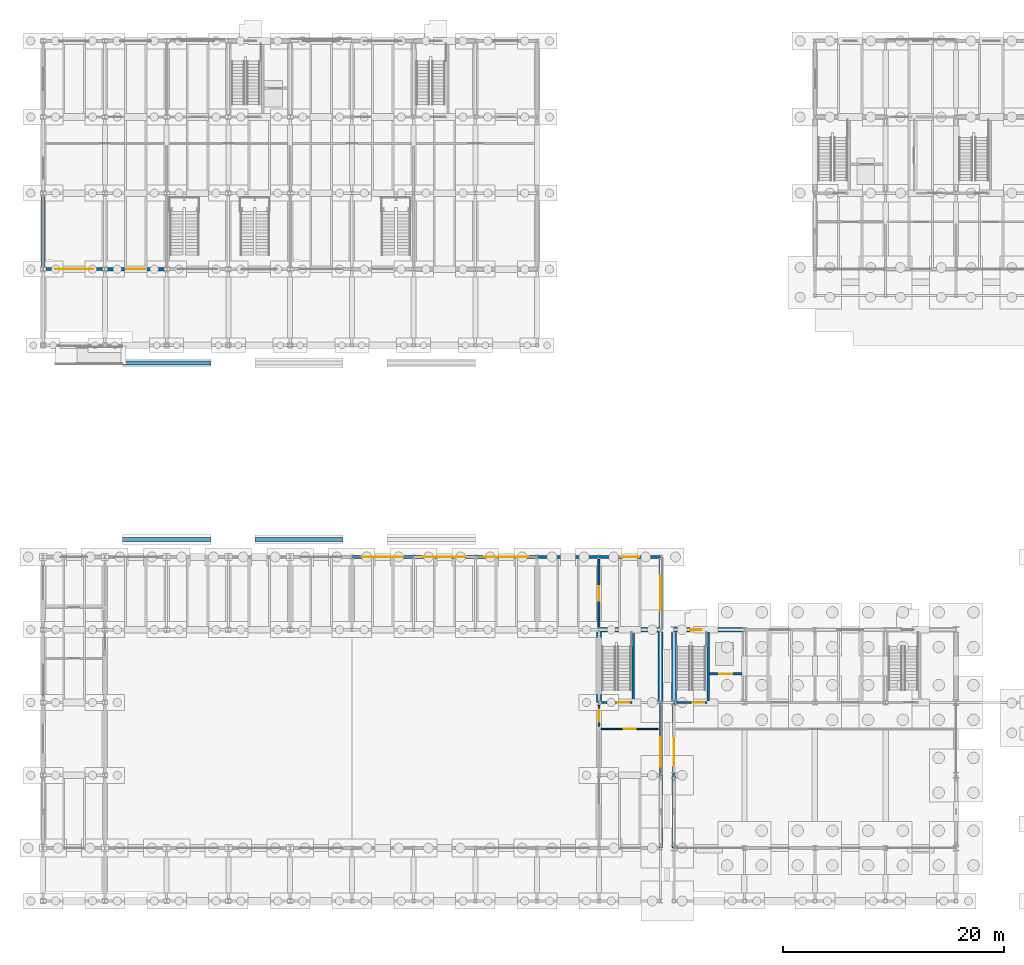
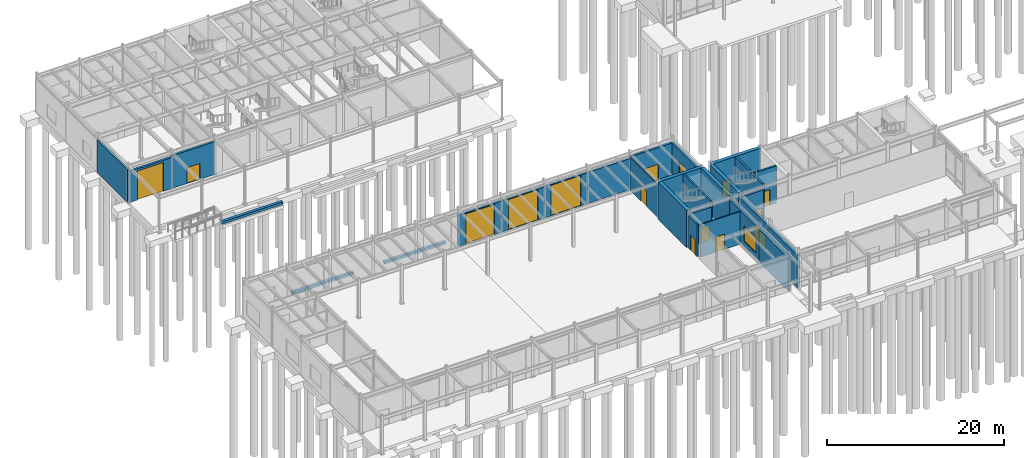
# One storey, part 67 of 82: 29 walls, 13 doors, 3 windows, 16 openings.
"""IFC4 building model written with IfcOpenShell, lengths in metres."""

import ifcopenshell
import ifcopenshell.guid

model = None  # the IFC model being written
_history = None  # IfcOwnerHistory: only IFC2X3 demands one
_inside = {}  # id of a spatial element -> (the spatial element, [elements in it])
_under = {}  # id of a project, library or spatial element -> (it, [spatial elements below it])
_declared = {}  # id of a project -> (the project, [libraries it declares])
_typed = {}  # id of a type object -> (the type object, [elements of that type])
_made_of = {}  # id of a material, layer set ... -> (it, [elements and type objects made of it])


def new_model(schema):
    """Start an empty IFC model of exactly this schema.

    Asked for "IFC4X3", IfcOpenShell would pick the latest addendum, in which some entities
    have other attributes; the version numbers below select the first issue.
    IFC2X3 requires an IfcOwnerHistory on every rooted entity: one is made here for all.
    """
    global model, _history
    if schema == "IFC4X3":
        model = ifcopenshell.file(schema_version=(4, 3, 0, 0))
    else:
        model = ifcopenshell.file(schema=schema)
    _inside.clear()
    _under.clear()
    _declared.clear()
    _typed.clear()
    _made_of.clear()
    _history = None
    if model.schema == "IFC2X3":
        org = make("IfcOrganization", Name="unknown")
        user = make(
            "IfcPersonAndOrganization",
            ThePerson=make("IfcPerson", FamilyName="unknown"),
            TheOrganization=org,
        )
        app = make(
            "IfcApplication",
            ApplicationDeveloper=org,
            Version="unknown",
            ApplicationFullName="unknown",
            ApplicationIdentifier="unknown",
        )
        _history = make(
            "IfcOwnerHistory",
            OwningUser=user,
            OwningApplication=app,
            ChangeAction="ADDED",
            CreationDate=0,
        )
    return model


def make(cls, **values):
    """One entity of the class cls with the attributes given. An attribute that is None is left unset."""
    return model.create_entity(
        cls, **{name: value for name, value in values.items() if value is not None}
    )


def rooted(cls, **values):
    """An entity with a GlobalId (a new one), such as an element, a storey or a relation."""
    return make(cls, GlobalId=ifcopenshell.guid.new(), OwnerHistory=_history, **values)


def si_unit(unit_type, name, prefix=None):
    """IfcSIUnit, for example si_unit("LENGTHUNIT", "METRE", prefix="MILLI")."""
    return make("IfcSIUnit", UnitType=unit_type, Prefix=prefix, Name=name)


def assignment(units):
    """IfcUnitAssignment: the units of a project."""
    return None if units is None else make("IfcUnitAssignment", Units=units)


def point(xyz):
    """IfcCartesianPoint."""
    return None if xyz is None else make("IfcCartesianPoint", Coordinates=xyz)


def direction(xyz):
    """IfcDirection."""
    return None if xyz is None else make("IfcDirection", DirectionRatios=xyz)


def frame(location, z_axis=None, x_axis=None):
    """IfcAxis2Placement3D, a coordinate frame: its origin and axes. An axis left out is left unset."""
    return make(
        "IfcAxis2Placement3D",
        Location=point(location),
        Axis=direction(z_axis),
        RefDirection=direction(x_axis),
    )


def frame_2d(location, x_axis=None):
    """IfcAxis2Placement2D, a coordinate frame in the plane: its origin and x axis."""
    return make(
        "IfcAxis2Placement2D", Location=point(location), RefDirection=direction(x_axis)
    )


def origin():
    """The frame at (0, 0, 0) with its axes left unset."""
    return frame((0.0, 0.0, 0.0))


def place(relative_to, where):
    """IfcLocalPlacement: puts the frame where relative to a parent placement (None: the world)."""
    return make(
        "IfcLocalPlacement", PlacementRelTo=relative_to, RelativePlacement=where
    )


def context(
    kind, dimensions, precision=None, world=None, true_north=None, identifier=None
):
    """IfcGeometricRepresentationContext, for example the 3D "Model" context."""
    return make(
        "IfcGeometricRepresentationContext",
        ContextIdentifier=identifier,
        ContextType=kind,
        CoordinateSpaceDimension=dimensions,
        Precision=precision,
        WorldCoordinateSystem=world,
        TrueNorth=true_north,
    )


def subcontext(parent, identifier, kind, view, scale=None):
    """IfcGeometricRepresentationSubContext, for example "Body" below "Model"."""
    return make(
        "IfcGeometricRepresentationSubContext",
        ContextIdentifier=identifier,
        ContextType=kind,
        ParentContext=parent,
        TargetScale=scale,
        TargetView=view,
    )


def project(units=None, contexts=None):
    """IfcProject with its units and contexts."""
    return rooted(
        "IfcProject",
        Name="project",
        RepresentationContexts=contexts,
        UnitsInContext=assignment(units),
    )


def spatial(cls, under=None, at=None, **own):
    """A site, building, storey or space (cls), placed at a placement, below another one or the project."""
    s = rooted(cls, ObjectPlacement=at, **own)
    if under is not None:
        _under.setdefault(under.id(), (under, []))[1].append(s)
    return s


def profile(cls, at=None, kind="AREA", **sizes):
    """A parametric profile (cls). Its sizes go by their IFC names, for example OverallWidth=200.0."""
    return make(cls, ProfileType=kind, Position=at, **sizes)


def rectangle(**sizes):
    """IfcRectangleProfileDef."""
    return profile("IfcRectangleProfileDef", **sizes)


def extrude(swept, where, along, depth):
    """IfcExtrudedAreaSolid: the profile swept, set in the frame where, extruded along a direction by depth."""
    return make(
        "IfcExtrudedAreaSolid",
        SweptArea=swept,
        Position=where,
        ExtrudedDirection=direction(along),
        Depth=depth,
    )


def shape(context_of_items, identifier, shape_type, items):
    """IfcShapeRepresentation: the items that make up one representation, for example the "Body"."""
    return make(
        "IfcShapeRepresentation",
        ContextOfItems=context_of_items,
        RepresentationIdentifier=identifier,
        RepresentationType=shape_type,
        Items=items,
    )


def material(Name=None, Category=None):
    """IfcMaterial."""
    return make("IfcMaterial", Name=Name, Category=Category)


def layer(
    of_material, thickness, ventilated=None, Name=None, Category=None, Priority=None
):
    """IfcMaterialLayer: one layer of a wall or slab, of a material (None: an air gap)."""
    return make(
        "IfcMaterialLayer",
        Material=of_material,
        LayerThickness=thickness,
        IsVentilated=ventilated,
        Name=Name,
        Category=Category,
        Priority=Priority,
    )


def layer_set(layers, Name=None):
    """IfcMaterialLayerSet."""
    return make("IfcMaterialLayerSet", MaterialLayers=layers, LayerSetName=Name)


def made_of(thing, what):
    """Note that an element or type object is made of a material, layer set ...; save() writes the relation."""
    if what is not None:
        _made_of.setdefault(what.id(), (what, []))[1].append(thing)
    return thing


def type_object(cls, material=None, **own):
    """A type object (cls), such as IfcWallType, which elements share."""
    return made_of(rooted(cls, **own), material)


def element(
    cls,
    number,
    at=None,
    inside=None,
    cuts=None,
    type_object=None,
    material=None,
    context=None,
    identifier="Body",
    shape_type=None,
    held_by="IfcProductDefinitionShape",
    body=None,
    shapes=None,
    **own,
):
    """One element of the class cls, such as IfcWall. Its Tag is "e" and its number.

    at: its placement. inside: the storey or other place that contains it. cuts: it is an
    opening in that element (IfcRelVoidsElement). A single representation is given by context,
    identifier, shape_type and body (its items); several are given by shapes. held_by: the class
    of the entity that holds the representations. save() writes the other relations.
    """
    e = rooted(cls, Tag="e%d" % number, ObjectPlacement=at, **own)
    if body is not None:
        shapes = [shape(context, identifier, shape_type, body)]
    if shapes is not None:
        e.Representation = make(held_by, Representations=shapes)
    if inside is not None:
        _inside.setdefault(inside.id(), (inside, []))[1].append(e)
    if cuts is not None:
        rooted(
            "IfcRelVoidsElement", RelatingBuildingElement=cuts, RelatedOpeningElement=e
        )
    if type_object is not None:
        _typed.setdefault(type_object.id(), (type_object, []))[1].append(e)
    return made_of(e, material)


def fill(opening, filler):
    """IfcRelFillsElement: the door or window that sits in an opening."""
    return rooted(
        "IfcRelFillsElement",
        RelatingOpeningElement=opening,
        RelatedBuildingElement=filler,
    )


def aggregate(whole, parts):
    """IfcRelAggregates: a whole, such as a stair, and the parts it consists of."""
    return rooted("IfcRelAggregates", RelatingObject=whole, RelatedObjects=parts)


def save(model, path):
    """Write the relations noted so far, then the file.

    IfcRelAggregates (storeys below a building ...), IfcRelContainedInSpatialStructure (elements
    in a storey), IfcRelDefinesByType, IfcRelAssociatesMaterial and IfcRelDeclares: one each for
    every whole, place, type object, material and project.
    """
    for whole, parts in _under.values():
        aggregate(whole, parts)
    for where, things in _inside.values():
        rooted(
            "IfcRelContainedInSpatialStructure",
            RelatedElements=things,
            RelatingStructure=where,
        )
    for kind, things in _typed.values():
        rooted("IfcRelDefinesByType", RelatedObjects=things, RelatingType=kind)
    for what, things in _made_of.values():
        rooted("IfcRelAssociatesMaterial", RelatedObjects=things, RelatingMaterial=what)
    for by, libraries in _declared.values():
        rooted("IfcRelDeclares", RelatingContext=by, RelatedDefinitions=libraries)
    model.write(path)


model = new_model("IFC4")

# Units and contexts
model_context = context("Model", 3, precision=1e-05, world=origin(), true_north=direction((0.0, 1.0)))
body_context = subcontext(model_context, "Body", "Model", "MODEL_VIEW")
ifc_project = project(units=[si_unit("LENGTHUNIT", "METRE"), si_unit("AREAUNIT", "SQUARE_METRE"), si_unit("VOLUMEUNIT", "CUBIC_METRE"), si_unit("PLANEANGLEUNIT", "RADIAN"), si_unit("MASSUNIT", "GRAM", prefix="KILO")], contexts=[model_context])

# Site, building, storey
site_placement = place(None, origin())
site = spatial("IfcSite", under=ifc_project, at=site_placement, CompositionType="ELEMENT")
building_placement = place(site_placement, origin())
building = spatial("IfcBuilding", under=site, at=building_placement, Name="Trelmorton Wharf Fire Station", CompositionType="ELEMENT")
storey_placement = place(building_placement, origin())
storey = spatial("IfcBuildingStorey", under=building, at=storey_placement, Name="L00", CompositionType="ELEMENT", Elevation=0.0)

# Wall, opening, window
ifc_material_1 = material(Name="Precast concrete 45 MPa", Category="concrete")
ifc_layer_1 = layer(ifc_material_1, 0.22998046875)
ifc_layer_set_1 = layer_set([ifc_layer_1], Name="Precast concrete 45 MPa")
wall_type_1 = type_object("IfcWallType", Name="EW_PREC_230", PredefinedType="SOLIDWALL", material=ifc_layer_set_1)
wall_1_placement = place(storey_placement, frame((56.800048828125, 20.9951171875, 0.0), z_axis=(0.0, 0.0, 1.0), x_axis=(0.0, -1.0, 0.0)))
wall_1 = element("IfcWall", 1, at=wall_1_placement, inside=storey, type_object=wall_type_1, Name="EW-V1-L00-0024", PredefinedType="SOLIDWALL", context=body_context, shape_type="SweptSolid", body=[
    extrude(rectangle(XDim=6.590087890625, YDim=0.22998046875, at=frame_2d((3.294921875, 0.0))), origin(), (0.0, 0.0, 1.0), 4.52001953125),
])
opening_1_placement = place(wall_1_placement, frame((3.12744140625, 0.0, 0.800048828125)))
opening_1 = element("IfcOpeningElement", 2, at=opening_1_placement, cuts=wall_1, Name="Opening W03", PredefinedType="OPENING", context=body_context, shape_type="SweptSolid", body=[
    extrude(rectangle(XDim=2.699951171875, YDim=2.10009765625, at=frame_2d((1.35009765625, 1.050048828125))), frame((0.0, 0.125, 0.0), z_axis=(0.0, -1.0, 0.0), x_axis=(1.0, 0.0, 0.0)), (0.0, 0.0, 1.0), 0.25),
])
ifc_material_2 = material(Name="Tempered low-E double glazing", Category="glass")
window_type_1 = type_object("IfcWindowType", Name="WIN_W03", PartitioningType="TRIPLE_PANEL_VERTICAL", PredefinedType="WINDOW", material=ifc_material_2)
window_1_placement = place(opening_1_placement, origin())
window_1 = element("IfcWindow", 3, at=window_1_placement, inside=storey, type_object=window_type_1, Name="WN-V1-L00-0003", OverallHeight=2.10009765625, OverallWidth=2.699951171875, PartitioningType="TRIPLE_PANEL_VERTICAL", PredefinedType="WINDOW", context=body_context, shape_type="SweptSolid", body=[
    extrude(rectangle(XDim=2.699951171875, YDim=2.10009765625, at=frame_2d((1.35009765625, 1.050048828125))), frame((0.0, 0.030029296875, 0.0), z_axis=(0.0, -1.0, 0.0), x_axis=(1.0, 0.0, 0.0)), (0.0, 0.0, 1.0), 0.06005859375),
])
fill(opening_1, window_1)

ifc_layer_2 = layer(ifc_material_1, 0.25)
ifc_layer_set_2 = layer_set([ifc_layer_2], Name="Precast concrete 45 MPa")
wall_type_2 = type_object("IfcWallType", Name="EW_PREC_250", PredefinedType="SOLIDWALL", material=ifc_layer_set_2)
wall_2_placement = place(storey_placement, frame((58.0, 14.405029296875, 0.0), z_axis=(0.0, 0.0, 1.0), x_axis=(0.0, 1.0, 0.0)))
wall_2 = element("IfcWall", 4, at=wall_2_placement, inside=storey, type_object=wall_type_2, Name="EW-V3-L00-0043", PredefinedType="SOLIDWALL", context=body_context, shape_type="SweptSolid", body=[
    extrude(rectangle(XDim=6.590087890625, YDim=0.25, at=frame_2d((3.294921875, 0.0))), origin(), (0.0, 0.0, 1.0), 4.52001953125),
])
opening_2_placement = place(wall_2_placement, frame((0.862548828125, 0.0, 0.800048828125)))
opening_2 = element("IfcOpeningElement", 5, at=opening_2_placement, cuts=wall_2, Name="Opening W14", PredefinedType="OPENING", context=body_context, shape_type="SweptSolid", body=[
    extrude(rectangle(XDim=2.5, YDim=1.800048828125, at=frame_2d((1.25, 0.89990234375))), frame((0.0, 0.135009765625, 0.0), z_axis=(0.0, -1.0, 0.0), x_axis=(1.0, 0.0, 0.0)), (0.0, 0.0, 1.0), 0.27001953125),
])
window_type_2 = type_object("IfcWindowType", Name="WIN_W14", PartitioningType="TRIPLE_PANEL_VERTICAL", PredefinedType="WINDOW", material=ifc_material_2)
window_2_placement = place(opening_2_placement, origin())
window_2 = element("IfcWindow", 6, at=window_2_placement, inside=storey, type_object=window_type_2, Name="WN-V3-L00-0013", OverallHeight=1.800048828125, OverallWidth=2.5, PartitioningType="TRIPLE_PANEL_VERTICAL", PredefinedType="WINDOW", context=body_context, shape_type="SweptSolid", body=[
    extrude(rectangle(XDim=2.5, YDim=1.800048828125, at=frame_2d((1.25, 0.89990234375))), frame((0.0, 0.030029296875, 0.0), z_axis=(0.0, -1.0, 0.0), x_axis=(1.0, 0.0, 0.0)), (0.0, 0.0, 1.0), 0.06005859375),
])
fill(opening_2, window_2)

# Wall, opening, door
ifc_layer_3 = layer(ifc_material_1, 0.27001953125)
ifc_layer_set_3 = layer_set([ifc_layer_3], Name="Precast concrete 45 MPa")
wall_type_3 = type_object("IfcWallType", Name="EW_PREC_270", PredefinedType="SOLIDWALL", material=ifc_layer_set_3)
wall_3_placement = place(storey_placement, frame((28.804931640625, 34.199951171875, 0.0), z_axis=(0.0, 0.0, 1.0), x_axis=(1.0, 0.0, 0.0)))
wall_3 = element("IfcWall", 7, at=wall_3_placement, inside=storey, type_object=wall_type_3, Name="EW-V1-L00-0016", PredefinedType="SOLIDWALL", context=body_context, shape_type="SweptSolid", body=[
    extrude(rectangle(XDim=5.590087890625, YDim=0.27001953125, at=frame_2d((2.794921875, 0.0))), origin(), (0.0, 0.0, 1.0), 4.300048828125),
])
opening_3_placement = place(wall_3_placement, frame((0.919921875, 0.0, 0.0)))
opening_3 = element("IfcOpeningElement", 8, at=opening_3_placement, cuts=wall_3, Name="Opening AD-13", PredefinedType="OPENING", context=body_context, shape_type="SweptSolid", body=[
    extrude(rectangle(XDim=3.75, YDim=4.14990234375, at=frame_2d((1.875, 2.074951171875))), frame((0.0, 0.14501953125, 0.0), z_axis=(0.0, -1.0, 0.0), x_axis=(1.0, 0.0, 0.0)), (0.0, 0.0, 1.0), 0.2900390625),
])
ifc_material_3 = material(Name="Anodised aluminium AW-6063", Category="aluminium")
door_type_1 = type_object("IfcDoorType", Name="GT_BIFOLD_375", OperationType="FOLDING_TO_RIGHT", PredefinedType="GATE", material=ifc_material_3)
door_1_placement = place(opening_3_placement, origin())
door_1 = element("IfcDoor", 9, at=door_1_placement, inside=storey, type_object=door_type_1, Name="Vehicle Gate AD-13", OperationType="FOLDING_TO_RIGHT", OverallHeight=4.14990234375, OverallWidth=3.75, PredefinedType="GATE", context=body_context, shape_type="SweptSolid", body=[
    extrude(rectangle(XDim=3.75, YDim=4.14990234375, at=frame_2d((1.875, 2.074951171875))), frame((0.0, 0.02490234375, 0.0), z_axis=(0.0, -1.0, 0.0), x_axis=(1.0, 0.0, 0.0)), (0.0, 0.0, 1.0), 0.050048828125),
])
fill(opening_3, door_1)

wall_4_placement = place(storey_placement, frame((34.405029296875, 34.199951171875, 0.0), z_axis=(0.0, 0.0, 1.0), x_axis=(1.0, 0.0, 0.0)))
wall_4 = element("IfcWall", 10, at=wall_4_placement, inside=storey, type_object=wall_type_3, Name="EW-V1-L00-0017", PredefinedType="SOLIDWALL", context=body_context, shape_type="SweptSolid", body=[
    extrude(rectangle(XDim=5.590087890625, YDim=0.27001953125, at=frame_2d((2.794921875, 0.0))), origin(), (0.0, 0.0, 1.0), 4.300048828125),
])
opening_4_placement = place(wall_4_placement, frame((0.8701171875, 0.0, 0.0)))
opening_4 = element("IfcOpeningElement", 11, at=opening_4_placement, cuts=wall_4, Name="Opening AD-14", PredefinedType="OPENING", context=body_context, shape_type="SweptSolid", body=[
    extrude(rectangle(XDim=3.85009765625, YDim=4.199951171875, at=frame_2d((1.925048828125, 2.10009765625))), frame((0.0, 0.14501953125, 0.0), z_axis=(0.0, -1.0, 0.0), x_axis=(1.0, 0.0, 0.0)), (0.0, 0.0, 1.0), 0.2900390625),
])
door_type_2 = type_object("IfcDoorType", Name="GT_BIFOLD_385", OperationType="FOLDING_TO_LEFT", PredefinedType="GATE", material=ifc_material_3)
door_2_placement = place(opening_4_placement, origin())
door_2 = element("IfcDoor", 12, at=door_2_placement, inside=storey, type_object=door_type_2, Name="Vehicle Gate AD-14", OperationType="FOLDING_TO_LEFT", OverallHeight=4.199951171875, OverallWidth=3.85009765625, PredefinedType="GATE", context=body_context, shape_type="SweptSolid", body=[
    extrude(rectangle(XDim=3.85009765625, YDim=4.199951171875, at=frame_2d((1.925048828125, 2.10009765625))), frame((0.0, 0.02490234375, 0.0), z_axis=(0.0, -1.0, 0.0), x_axis=(1.0, 0.0, 0.0)), (0.0, 0.0, 1.0), 0.050048828125),
])
fill(opening_4, door_2)

wall_5_placement = place(storey_placement, frame((40.0048828125, 34.199951171875, 0.0), z_axis=(0.0, 0.0, 1.0), x_axis=(1.0, 0.0, 0.0)))
wall_5 = element("IfcWall", 13, at=wall_5_placement, inside=storey, type_object=wall_type_3, Name="EW-V1-L00-0018", PredefinedType="SOLIDWALL", context=body_context, shape_type="SweptSolid", body=[
    extrude(rectangle(XDim=5.590087890625, YDim=0.27001953125, at=frame_2d((2.794921875, 0.0))), origin(), (0.0, 0.0, 1.0), 4.300048828125),
])
opening_5_placement = place(wall_5_placement, frame((0.820068359375, 0.0, 0.0)))
opening_5 = element("IfcOpeningElement", 14, at=opening_5_placement, cuts=wall_5, Name="Opening AD-15", PredefinedType="OPENING", context=body_context, shape_type="SweptSolid", body=[
    extrude(rectangle(XDim=3.949951171875, YDim=4.199951171875, at=frame_2d((1.97509765625, 2.10009765625))), frame((0.0, 0.14501953125, 0.0), z_axis=(0.0, -1.0, 0.0), x_axis=(1.0, 0.0, 0.0)), (0.0, 0.0, 1.0), 0.2900390625),
])
door_type_3 = type_object("IfcDoorType", Name="GT_BIFOLD_395", OperationType="FOLDING_TO_RIGHT", PredefinedType="GATE", material=ifc_material_3)
door_3_placement = place(opening_5_placement, origin())
door_3 = element("IfcDoor", 15, at=door_3_placement, inside=storey, type_object=door_type_3, Name="Vehicle Gate AD-15", OperationType="FOLDING_TO_RIGHT", OverallHeight=4.199951171875, OverallWidth=3.949951171875, PredefinedType="GATE", context=body_context, shape_type="SweptSolid", body=[
    extrude(rectangle(XDim=3.949951171875, YDim=4.199951171875, at=frame_2d((1.97509765625, 2.10009765625))), frame((0.0, 0.02490234375, 0.0), z_axis=(0.0, -1.0, 0.0), x_axis=(1.0, 0.0, 0.0)), (0.0, 0.0, 1.0), 0.050048828125),
])
fill(opening_5, door_3)

# Wall
wall_6_placement = place(storey_placement, frame((45.60498046875, 34.199951171875, 0.0), z_axis=(0.0, 0.0, 1.0), x_axis=(1.0, 0.0, 0.0)))
element("IfcWall", 16, at=wall_6_placement, inside=storey, type_object=wall_type_3, Name="EW-V1-L00-0019", PredefinedType="SOLIDWALL", context=body_context, shape_type="SweptSolid", body=[
    extrude(rectangle(XDim=5.590087890625, YDim=0.27001953125, at=frame_2d((2.794921875, 0.0))), origin(), (0.0, 0.0, 1.0), 4.300048828125),
])

# Wall, opening, door
wall_7_placement = place(storey_placement, frame((51.205078125, 34.199951171875, 0.0), z_axis=(0.0, 0.0, 1.0), x_axis=(1.0, 0.0, 0.0)))
wall_7 = element("IfcWall", 17, at=wall_7_placement, inside=storey, type_object=wall_type_3, Name="EW-V1-L00-0020", PredefinedType="SOLIDWALL", context=body_context, shape_type="SweptSolid", body=[
    extrude(rectangle(XDim=5.58984375, YDim=0.27001953125, at=frame_2d((2.794921875, 0.0))), origin(), (0.0, 0.0, 1.0), 4.52001953125),
])
opening_6_placement = place(wall_7_placement, frame((1.93505859375, 0.0, 0.0)))
opening_6 = element("IfcOpeningElement", 18, at=opening_6_placement, cuts=wall_7, Name="Opening E-003", PredefinedType="OPENING", context=body_context, shape_type="SweptSolid", body=[
    extrude(rectangle(XDim=1.719970703125, YDim=2.199951171875, at=frame_2d((0.85986328125, 1.10009765625))), frame((0.0, 0.14501953125, 0.0), z_axis=(0.0, -1.0, 0.0), x_axis=(1.0, 0.0, 0.0)), (0.0, 0.0, 1.0), 0.2900390625),
])
door_type_4 = type_object("IfcDoorType", Name="DR_EXT_DBL_172", OperationType="DOUBLE_DOOR_SINGLE_SWING", PredefinedType="DOOR", material=ifc_material_3)
door_4_placement = place(opening_6_placement, origin())
door_4 = element("IfcDoor", 19, at=door_4_placement, inside=storey, type_object=door_type_4, Name="Final Exit Door E-003", OperationType="DOUBLE_DOOR_SINGLE_SWING", OverallHeight=2.199951171875, OverallWidth=1.719970703125, PredefinedType="DOOR", context=body_context, shape_type="SweptSolid", body=[
    extrude(rectangle(XDim=1.719970703125, YDim=2.199951171875, at=frame_2d((0.85986328125, 1.10009765625))), frame((0.0, 0.02490234375, 0.0), z_axis=(0.0, -1.0, 0.0), x_axis=(1.0, 0.0, 0.0)), (0.0, 0.0, 1.0), 0.050048828125),
])
fill(opening_6, door_4)

wall_8_placement = place(storey_placement, frame((6.39501953125, 60.300048828125, 0.0), z_axis=(0.0, 0.0, 1.0), x_axis=(-1.0, 0.0, 0.0)))
wall_8 = element("IfcWall", 20, at=wall_8_placement, inside=storey, type_object=wall_type_3, Name="EW-V6-L00-0121", PredefinedType="SOLIDWALL", context=body_context, shape_type="SweptSolid", body=[
    extrude(rectangle(XDim=5.590087890625, YDim=0.27001953125, at=frame_2d((2.794921875, 0.0))), origin(), (0.0, 0.0, 1.0), 4.300048828125),
])
opening_7_placement = place(wall_8_placement, frame((1.070068359375, 0.0, 0.0)))
opening_7 = element("IfcOpeningElement", 21, at=opening_7_placement, cuts=wall_8, Name="Opening WG-17", PredefinedType="OPENING", context=body_context, shape_type="SweptSolid", body=[
    extrude(rectangle(XDim=3.449951171875, YDim=4.0, at=frame_2d((1.72509765625, 2.0))), frame((0.0, 0.14501953125, 0.0), z_axis=(0.0, -1.0, 0.0), x_axis=(1.0, 0.0, 0.0)), (0.0, 0.0, 1.0), 0.2900390625),
])
ifc_material_4 = material(Name="Stainless steel 316 marine grade", Category="steel")
door_type_5 = type_object("IfcDoorType", Name="GT_ROLLER_345", OperationType="ROLLINGUP", PredefinedType="GATE", material=ifc_material_4)
door_5_placement = place(opening_7_placement, origin())
door_5 = element("IfcDoor", 22, at=door_5_placement, inside=storey, type_object=door_type_5, Name="Vehicle Gate WG-17", OperationType="ROLLINGUP", OverallHeight=4.0, OverallWidth=3.449951171875, PredefinedType="GATE", context=body_context, shape_type="SweptSolid", body=[
    extrude(rectangle(XDim=3.449951171875, YDim=4.0, at=frame_2d((1.72509765625, 2.0))), frame((0.0, 0.02490234375, 0.0), z_axis=(0.0, -1.0, 0.0), x_axis=(1.0, 0.0, 0.0)), (0.0, 0.0, 1.0), 0.050048828125),
])
fill(opening_7, door_5)

# Wall, opening, window
ifc_layer_4 = layer(ifc_material_1, 0.2900390625)
ifc_layer_set_4 = layer_set([ifc_layer_4], Name="Precast concrete 45 MPa")
wall_type_4 = type_object("IfcWallType", Name="EW_TERR_290", PredefinedType="SOLIDWALL", material=ifc_layer_set_4)
wall_9_placement = place(storey_placement, frame((56.800048828125, 34.195068359375, 0.0), z_axis=(0.0, 0.0, 1.0), x_axis=(0.0, -1.0, 0.0)))
wall_9 = element("IfcWall", 23, at=wall_9_placement, inside=storey, type_object=wall_type_4, Name="EW-V1-L00-0027", PredefinedType="SOLIDWALL", context=body_context, shape_type="SweptSolid", body=[
    extrude(rectangle(XDim=6.590087890625, YDim=0.2900390625, at=frame_2d((3.294921875, 0.0))), origin(), (0.0, 0.0, 1.0), 4.52001953125),
])
opening_8_placement = place(wall_9_placement, frame((1.719970703125, 0.0, 0.800048828125)))
opening_8 = element("IfcOpeningElement", 24, at=opening_8_placement, cuts=wall_9, Name="Opening W06", PredefinedType="OPENING", context=body_context, shape_type="SweptSolid", body=[
    extrude(rectangle(XDim=3.14990234375, YDim=2.10009765625, at=frame_2d((1.574951171875, 1.050048828125))), frame((0.0, 0.155029296875, 0.0), z_axis=(0.0, -1.0, 0.0), x_axis=(1.0, 0.0, 0.0)), (0.0, 0.0, 1.0), 0.31005859375),
])
window_type_3 = type_object("IfcWindowType", Name="WIN_W06", PartitioningType="TRIPLE_PANEL_VERTICAL", PredefinedType="WINDOW", material=ifc_material_2)
window_3_placement = place(opening_8_placement, origin())
window_3 = element("IfcWindow", 25, at=window_3_placement, inside=storey, type_object=window_type_3, Name="WN-V1-L00-0006", OverallHeight=2.10009765625, OverallWidth=3.14990234375, PartitioningType="TRIPLE_PANEL_VERTICAL", PredefinedType="WINDOW", context=body_context, shape_type="SweptSolid", body=[
    extrude(rectangle(XDim=3.14990234375, YDim=2.10009765625, at=frame_2d((1.574951171875, 1.050048828125))), frame((0.0, 0.030029296875, 0.0), z_axis=(0.0, -1.0, 0.0), x_axis=(1.0, 0.0, 0.0)), (0.0, 0.0, 1.0), 0.06005859375),
])
fill(opening_8, window_3)

# Wall, opening, door
wall_10_placement = place(storey_placement, frame((11.9951171875, 60.300048828125, 0.0), z_axis=(0.0, 0.0, 1.0), x_axis=(-1.0, 0.0, 0.0)))
wall_10 = element("IfcWall", 26, at=wall_10_placement, inside=storey, type_object=wall_type_4, Name="EW-V6-L00-0123", PredefinedType="SOLIDWALL", context=body_context, shape_type="SweptSolid", body=[
    extrude(rectangle(XDim=5.590087890625, YDim=0.2900390625, at=frame_2d((2.794921875, 0.0))), origin(), (0.0, 0.0, 1.0), 4.52001953125),
])
opening_9_placement = place(wall_10_placement, frame((1.93505859375, 0.0, 0.0)))
opening_9 = element("IfcOpeningElement", 27, at=opening_9_placement, cuts=wall_10, Name="Opening E-021", PredefinedType="OPENING", context=body_context, shape_type="SweptSolid", body=[
    extrude(rectangle(XDim=1.719970703125, YDim=2.199951171875, at=frame_2d((0.85986328125, 1.10009765625))), frame((0.0, 0.155029296875, 0.0), z_axis=(0.0, -1.0, 0.0), x_axis=(1.0, 0.0, 0.0)), (0.0, 0.0, 1.0), 0.31005859375),
])
door_6_placement = place(opening_9_placement, origin())
door_6 = element("IfcDoor", 28, at=door_6_placement, inside=storey, type_object=door_type_4, Name="Final Exit Door E-021", OperationType="DOUBLE_DOOR_SINGLE_SWING", OverallHeight=2.199951171875, OverallWidth=1.719970703125, PredefinedType="DOOR", context=body_context, shape_type="SweptSolid", body=[
    extrude(rectangle(XDim=1.719970703125, YDim=2.199951171875, at=frame_2d((0.85986328125, 1.10009765625))), frame((0.0, 0.02490234375, 0.0), z_axis=(0.0, -1.0, 0.0), x_axis=(1.0, 0.0, 0.0)), (0.0, 0.0, 1.0), 0.050048828125),
])
fill(opening_9, door_6)

# Walls
wall_11_placement = place(storey_placement, frame((0.800048828125, 60.304931640625, 0.0), z_axis=(0.0, 0.0, 1.0), x_axis=(0.0, 1.0, 0.0)))
element("IfcWall", 29, at=wall_11_placement, inside=storey, type_object=wall_type_4, Name="EW-V6-L00-0135", PredefinedType="SOLIDWALL", context=body_context, shape_type="SweptSolid", body=[
    extrude(rectangle(XDim=6.89013671875, YDim=0.2900390625, at=frame_2d((3.445068359375, 0.0))), origin(), (0.0, 0.0, 1.0), 4.52001953125),
])
ifc_layer_5 = layer(ifc_material_1, 0.31005859375)
ifc_layer_set_5 = layer_set([ifc_layer_5], Name="Precast concrete 45 MPa")
wall_type_5 = type_object("IfcWallType", Name="EW_TERR_310", PredefinedType="SOLIDWALL", material=ifc_layer_set_5)
wall_12_placement = place(storey_placement, frame((56.800048828125, 14.39501953125, 0.0), z_axis=(0.0, 0.0, 1.0), x_axis=(0.0, -1.0, 0.0)))
element("IfcWall", 30, at=wall_12_placement, inside=storey, type_object=wall_type_5, Name="EW-V1-L00-0022", PredefinedType="SOLIDWALL", context=body_context, shape_type="SweptSolid", body=[
    extrude(rectangle(XDim=6.590087890625, YDim=0.31005859375, at=frame_2d((3.294921875, 0.0))), origin(), (0.0, 0.0, 1.0), 4.52001953125),
])
ifc_layer_6 = layer(ifc_material_1, 0.330078125)
ifc_layer_set_6 = layer_set([ifc_layer_6], Name="Precast concrete 45 MPa")
wall_type_6 = type_object("IfcWallType", Name="EW_TERR_330", PredefinedType="SOLIDWALL", material=ifc_layer_set_6)
wall_13_placement = place(storey_placement, frame((58.0, 7.804931640625, 0.0), z_axis=(0.0, 0.0, 1.0), x_axis=(0.0, 1.0, 0.0)))
element("IfcWall", 31, at=wall_13_placement, inside=storey, type_object=wall_type_6, Name="EW-V3-L00-0041", PredefinedType="SOLIDWALL", context=body_context, shape_type="SweptSolid", body=[
    extrude(rectangle(XDim=6.590087890625, YDim=0.330078125, at=frame_2d((3.294921875, 0.0))), origin(), (0.0, 0.0, 1.0), 4.52001953125),
])
ifc_material_5 = material(Name="Concrete 40 MPa", Category="concrete")
ifc_layer_7 = layer(ifc_material_5, 0.219970703125)
ifc_layer_set_7 = layer_set([ifc_layer_7], Name="Concrete 40 MPa")
wall_type_7 = type_object("IfcWallType", Name="IW_CORE_220", PredefinedType="SOLIDWALL", material=ifc_layer_set_7)
wall_14_placement = place(storey_placement, frame((54.320068359375, 21.1201171875, 0.0), z_axis=(0.0, 0.0, 1.0), x_axis=(0.0, 1.0, 0.0)))
element("IfcWall", 32, at=wall_14_placement, inside=storey, type_object=wall_type_7, Name="IW-C1-DIV-L00", PredefinedType="SOLIDWALL", context=body_context, shape_type="SweptSolid", body=[
    extrude(rectangle(XDim=6.2548828125, YDim=0.219970703125, at=frame_2d((3.12744140625, 0.0))), origin(), (0.0, 0.0, 1.0), 5.159912109375),
])

# Wall, opening, door
wall_15_placement = place(storey_placement, frame((51.4599609375, 21.0, 0.0), z_axis=(0.0, 0.0, 1.0), x_axis=(1.0, 0.0, 0.0)))
wall_15 = element("IfcWall", 33, at=wall_15_placement, inside=storey, type_object=wall_type_7, Name="IW-C1-SF-L00", PredefinedType="SOLIDWALL", context=body_context, shape_type="SweptSolid", body=[
    extrude(rectangle(XDim=2.739990234375, YDim=0.219970703125, at=frame_2d((1.3701171875, 0.0))), origin(), (0.0, 0.0, 1.0), 4.52001953125),
])
opening_10_placement = place(wall_15_placement, frame((1.43994140625, 0.0, 0.0)))
opening_10 = element("IfcOpeningElement", 34, at=opening_10_placement, cuts=wall_15, Name="Opening FD-001", PredefinedType="OPENING", context=body_context, shape_type="SweptSolid", body=[
    extrude(rectangle(XDim=1.06005859375, YDim=2.10009765625, at=frame_2d((0.530029296875, 1.050048828125))), frame((0.0, 0.1201171875, 0.0), z_axis=(0.0, -1.0, 0.0), x_axis=(1.0, 0.0, 0.0)), (0.0, 0.0, 1.0), 0.239990234375),
])
door_type_6 = type_object("IfcDoorType", Name="DR_FIRE_106", OperationType="NOTDEFINED", PredefinedType="DOOR", material=ifc_material_4)
door_7_placement = place(opening_10_placement, origin())
door_7 = element("IfcDoor", 35, at=door_7_placement, inside=storey, type_object=door_type_6, Name="Stair Fire Door FD-001", OperationType="SINGLE_SWING_LEFT", OverallHeight=2.10009765625, OverallWidth=1.06005859375, PredefinedType="DOOR", context=body_context, shape_type="SweptSolid", body=[
    extrude(rectangle(XDim=1.06005859375, YDim=2.10009765625, at=frame_2d((0.530029296875, 1.050048828125))), frame((0.0, 0.02490234375, 0.0), z_axis=(0.0, -1.0, 0.0), x_axis=(1.0, 0.0, 0.0)), (0.0, 0.0, 1.0), 0.050048828125),
])
fill(opening_10, door_7)

# Wall
wall_16_placement = place(storey_placement, frame((61.1201171875, 21.1201171875, 0.0), z_axis=(0.0, 0.0, 1.0), x_axis=(0.0, 1.0, 0.0)))
element("IfcWall", 36, at=wall_16_placement, inside=storey, type_object=wall_type_7, Name="IW-C2-DIV-L00", PredefinedType="SOLIDWALL", context=body_context, shape_type="SweptSolid", body=[
    extrude(rectangle(XDim=6.2548828125, YDim=0.219970703125, at=frame_2d((3.12744140625, 0.0))), origin(), (0.0, 0.0, 1.0), 5.159912109375),
])

# Wall, opening, door
wall_17_placement = place(storey_placement, frame((58.260009765625, 21.0, 0.0), z_axis=(0.0, 0.0, 1.0), x_axis=(1.0, 0.0, 0.0)))
wall_17 = element("IfcWall", 37, at=wall_17_placement, inside=storey, type_object=wall_type_7, Name="IW-C2-SF-L00", PredefinedType="SOLIDWALL", context=body_context, shape_type="SweptSolid", body=[
    extrude(rectangle(XDim=2.739990234375, YDim=0.219970703125, at=frame_2d((1.3701171875, 0.0))), origin(), (0.0, 0.0, 1.0), 4.52001953125),
])
opening_11_placement = place(wall_17_placement, frame((1.43994140625, 0.0, 0.0)))
opening_11 = element("IfcOpeningElement", 38, at=opening_11_placement, cuts=wall_17, Name="Opening FD-003", PredefinedType="OPENING", context=body_context, shape_type="SweptSolid", body=[
    extrude(rectangle(XDim=1.06005859375, YDim=2.10009765625, at=frame_2d((0.530029296875, 1.050048828125))), frame((0.0, 0.1201171875, 0.0), z_axis=(0.0, -1.0, 0.0), x_axis=(1.0, 0.0, 0.0)), (0.0, 0.0, 1.0), 0.239990234375),
])
door_8_placement = place(opening_11_placement, origin())
door_8 = element("IfcDoor", 39, at=door_8_placement, inside=storey, type_object=door_type_6, Name="Stair Fire Door FD-003", OperationType="SINGLE_SWING_LEFT", OverallHeight=2.10009765625, OverallWidth=1.06005859375, PredefinedType="DOOR", context=body_context, shape_type="SweptSolid", body=[
    extrude(rectangle(XDim=1.06005859375, YDim=2.10009765625, at=frame_2d((0.530029296875, 1.050048828125))), frame((0.0, 0.02490234375, 0.0), z_axis=(0.0, -1.0, 0.0), x_axis=(1.0, 0.0, 0.0)), (0.0, 0.0, 1.0), 0.050048828125),
])
fill(opening_11, door_8)

wall_18_placement = place(storey_placement, frame((61.239990234375, 23.60009765625, 0.0), z_axis=(0.0, 0.0, 1.0), x_axis=(1.0, 0.0, 0.0)))
wall_18 = element("IfcWall", 40, at=wall_18_placement, inside=storey, type_object=wall_type_7, Name="IW-C2-LSH-L00", PredefinedType="SOLIDWALL", context=body_context, shape_type="SweptSolid", body=[
    extrude(rectangle(XDim=2.93505859375, YDim=0.219970703125, at=frame_2d((1.467529296875, 0.0))), origin(), (0.0, 0.0, 1.0), 5.159912109375),
])
opening_12_placement = place(wall_18_placement, frame((0.867431640625, 0.0, 0.0)))
opening_12 = element("IfcOpeningElement", 41, at=opening_12_placement, cuts=wall_18, Name="Opening LD-001", PredefinedType="OPENING", context=body_context, shape_type="SweptSolid", body=[
    extrude(rectangle(XDim=1.199951171875, YDim=2.14990234375, at=frame_2d((0.60009765625, 1.074951171875))), frame((0.0, 0.1201171875, 0.0), z_axis=(0.0, -1.0, 0.0), x_axis=(1.0, 0.0, 0.0)), (0.0, 0.0, 1.0), 0.239990234375),
])
door_type_7 = type_object("IfcDoorType", Name="DR_LIFT_120", OperationType="DOUBLE_DOOR_SLIDING", PredefinedType="DOOR", material=ifc_material_4)
door_9_placement = place(opening_12_placement, origin())
door_9 = element("IfcDoor", 42, at=door_9_placement, inside=storey, type_object=door_type_7, Name="Lift Landing Door LD-001", OperationType="DOUBLE_DOOR_SLIDING", OverallHeight=2.14990234375, OverallWidth=1.199951171875, PredefinedType="DOOR", context=body_context, shape_type="SweptSolid", body=[
    extrude(rectangle(XDim=1.199951171875, YDim=2.14990234375, at=frame_2d((0.60009765625, 1.074951171875))), frame((0.0, 0.02490234375, 0.0), z_axis=(0.0, -1.0, 0.0), x_axis=(1.0, 0.0, 0.0)), (0.0, 0.0, 1.0), 0.050048828125),
])
fill(opening_12, door_9)

ifc_layer_8 = layer(ifc_material_1, 0.169921875)
ifc_layer_set_8 = layer_set([ifc_layer_8], Name="Precast concrete 45 MPa")
wall_type_8 = type_object("IfcWallType", Name="IW_FIRE_170", PredefinedType="PARTITIONING", material=ifc_layer_set_8)
wall_19_placement = place(storey_placement, frame((51.199951171875, 27.820068359375, 0.0), z_axis=(0.0, 0.0, 1.0), x_axis=(0.0, 1.0, 0.0)))
wall_19 = element("IfcWall", 43, at=wall_19_placement, inside=storey, type_object=wall_type_8, Name="IW-L00-0010", PredefinedType="PARTITIONING", context=body_context, shape_type="SweptSolid", body=[
    extrude(rectangle(XDim=6.159912109375, YDim=0.169921875, at=frame_2d((3.080078125, 0.0))), origin(), (0.0, 0.0, 1.0), 4.5),
])
opening_13_placement = place(wall_19_placement, frame((2.419921875, 0.0, 0.0)))
opening_13 = element("IfcOpeningElement", 44, at=opening_13_placement, cuts=wall_19, Name="Opening D-007", PredefinedType="OPENING", context=body_context, shape_type="SweptSolid", body=[
    extrude(rectangle(XDim=1.320068359375, YDim=2.1201171875, at=frame_2d((0.66015625, 1.06005859375))), frame((0.0, 0.094970703125, 0.0), z_axis=(0.0, -1.0, 0.0), x_axis=(1.0, 0.0, 0.0)), (0.0, 0.0, 1.0), 0.18994140625),
])
door_type_8 = type_object("IfcDoorType", Name="DR_FIRE_132", OperationType="NOTDEFINED", PredefinedType="DOOR", material=ifc_material_4)
door_10_placement = place(opening_13_placement, origin())
door_10 = element("IfcDoor", 45, at=door_10_placement, inside=storey, type_object=door_type_8, Name="Interior Door D-007", OperationType="SINGLE_SWING_LEFT", OverallHeight=2.1201171875, OverallWidth=1.320068359375, PredefinedType="DOOR", context=body_context, shape_type="SweptSolid", body=[
    extrude(rectangle(XDim=1.320068359375, YDim=2.1201171875, at=frame_2d((0.66015625, 1.06005859375))), frame((0.0, 0.02490234375, 0.0), z_axis=(0.0, -1.0, 0.0), x_axis=(1.0, 0.0, 0.0)), (0.0, 0.0, 1.0), 0.050048828125),
])
fill(opening_13, door_10)

ifc_layer_9 = layer(ifc_material_1, 0.199951171875)
ifc_layer_set_9 = layer_set([ifc_layer_9], Name="Precast concrete 45 MPa")
wall_type_9 = type_object("IfcWallType", Name="IW_FIRE_200", PredefinedType="PARTITIONING", material=ifc_layer_set_9)
wall_20_placement = place(storey_placement, frame((51.199951171875, 18.820068359375, 0.0), z_axis=(0.0, 0.0, 1.0), x_axis=(0.0, 1.0, 0.0)))
wall_20 = element("IfcWall", 46, at=wall_20_placement, inside=storey, type_object=wall_type_9, Name="IW-L00-0009", PredefinedType="PARTITIONING", context=body_context, shape_type="SweptSolid", body=[
    extrude(rectangle(XDim=1.9599609375, YDim=0.199951171875, at=frame_2d((0.97998046875, 0.0))), origin(), (0.0, 0.0, 1.0), 4.5),
])
opening_14_placement = place(wall_20_placement, frame((0.449951171875, 0.0, 0.0)))
opening_14 = element("IfcOpeningElement", 47, at=opening_14_placement, cuts=wall_20, Name="Opening D-006", PredefinedType="OPENING", context=body_context, shape_type="SweptSolid", body=[
    extrude(rectangle(XDim=1.06005859375, YDim=2.10009765625, at=frame_2d((0.530029296875, 1.050048828125))), frame((0.0, 0.10986328125, 0.0), z_axis=(0.0, -1.0, 0.0), x_axis=(1.0, 0.0, 0.0)), (0.0, 0.0, 1.0), 0.219970703125),
])
door_11_placement = place(opening_14_placement, origin())
door_11 = element("IfcDoor", 48, at=door_11_placement, inside=storey, type_object=door_type_6, Name="Interior Door D-006", OperationType="SINGLE_SWING_RIGHT", OverallHeight=2.10009765625, OverallWidth=1.06005859375, PredefinedType="DOOR", context=body_context, shape_type="SweptSolid", body=[
    extrude(rectangle(XDim=1.06005859375, YDim=2.10009765625, at=frame_2d((0.530029296875, 1.050048828125))), frame((0.0, 0.02490234375, 0.0), z_axis=(0.0, -1.0, 0.0), x_axis=(1.0, 0.0, 0.0)), (0.0, 0.0, 1.0), 0.050048828125),
])
fill(opening_14, door_11)

ifc_material_6 = material(Name="Gypsum plasterboard partition")
ifc_layer_10 = layer(ifc_material_6, 0.1298828125)
ifc_layer_set_10 = layer_set([ifc_layer_10], Name="Gypsum plasterboard partition")
wall_type_10 = type_object("IfcWallType", Name="IW_PART_130", PredefinedType="PARTITIONING", material=ifc_layer_set_10)
wall_21_placement = place(storey_placement, frame((51.419921875, 18.60009765625, 0.0), z_axis=(0.0, 0.0, 1.0), x_axis=(1.0, 0.0, 0.0)))
wall_21 = element("IfcWall", 49, at=wall_21_placement, inside=storey, type_object=wall_type_10, Name="IW-L00-0011", PredefinedType="PARTITIONING", context=body_context, shape_type="SweptSolid", body=[
    extrude(rectangle(XDim=5.16015625, YDim=0.1298828125, at=frame_2d((2.580078125, 0.0))), origin(), (0.0, 0.0, 1.0), 4.5),
])
opening_15_placement = place(wall_21_placement, frame((2.02490234375, 0.0, 0.0)))
opening_15 = element("IfcOpeningElement", 50, at=opening_15_placement, cuts=wall_21, Name="Opening D-008", PredefinedType="OPENING", context=body_context, shape_type="SweptSolid", body=[
    extrude(rectangle(XDim=1.110107421875, YDim=2.10009765625, at=frame_2d((0.55517578125, 1.050048828125))), frame((0.0, 0.074951171875, 0.0), z_axis=(0.0, -1.0, 0.0), x_axis=(1.0, 0.0, 0.0)), (0.0, 0.0, 1.0), 0.14990234375),
])
ifc_material_7 = material(Name="Acoustic timber panelling", Category="wood")
door_type_9 = type_object("IfcDoorType", Name="DR_INT_111", OperationType="NOTDEFINED", PredefinedType="DOOR", material=ifc_material_7)
door_12_placement = place(opening_15_placement, origin())
door_12 = element("IfcDoor", 51, at=door_12_placement, inside=storey, type_object=door_type_9, Name="Interior Door D-008", OperationType="SINGLE_SWING_RIGHT", OverallHeight=2.10009765625, OverallWidth=1.110107421875, PredefinedType="DOOR", context=body_context, shape_type="SweptSolid", body=[
    extrude(rectangle(XDim=1.110107421875, YDim=2.10009765625, at=frame_2d((0.55517578125, 1.050048828125))), frame((0.0, 0.02490234375, 0.0), z_axis=(0.0, -1.0, 0.0), x_axis=(1.0, 0.0, 0.0)), (0.0, 0.0, 1.0), 0.050048828125),
])
fill(opening_15, door_12)

# Walls
ifc_material_8 = material(Name="Concrete 50 MPa", Category="concrete")
ifc_layer_11 = layer(ifc_material_8, 0.43994140625)
ifc_layer_set_11 = layer_set([ifc_layer_11], Name="Concrete 50 MPa")
wall_type_11 = type_object("IfcWallType", Name="WL_CORE_440", PredefinedType="SHEAR", material=ifc_layer_set_11)
wall_22_placement = place(storey_placement, frame((51.199951171875, 27.60009765625, 0.0), z_axis=(0.0, 0.0, 1.0), x_axis=(1.0, 0.0, 0.0)))
element("IfcWall", 52, at=wall_22_placement, inside=storey, type_object=wall_type_11, Name="WL-SW-C1-L00-001", PredefinedType="SHEAR", context=body_context, shape_type="SweptSolid", body=[
    extrude(rectangle(XDim=5.60009765625, YDim=0.43994140625, at=frame_2d((2.800048828125, 0.0))), origin(), (0.0, 0.0, 1.0), 5.159912109375),
])
for number, where, z_axis, x_axis, name in (
    (53, (51.199951171875, 21.0, 0.0), (0.0, 0.0, 1.0), (0.0, 1.0, 0.0), "WL-SW-C1-L00-002"),
    (54, (56.800048828125, 21.0, 0.0), (0.0, 0.0, 1.0), (0.0, 1.0, 0.0), "WL-SW-C1-L00-003"),
):
    element("IfcWall", number, at=place(storey_placement, frame(where, z_axis=z_axis, x_axis=x_axis)), inside=storey, type_object=wall_type_11, Name=name, PredefinedType="SHEAR", context=body_context, shape_type="SweptSolid", body=[
        extrude(rectangle(XDim=6.3798828125, YDim=0.43994140625, at=frame_2d((3.18994140625, 0.0))), origin(), (0.0, 0.0, 1.0), 5.159912109375),
    ])

# Wall, opening, door
wall_23_placement = place(storey_placement, frame((58.0, 27.60009765625, 0.0), z_axis=(0.0, 0.0, 1.0), x_axis=(1.0, 0.0, 0.0)))
wall_23 = element("IfcWall", 55, at=wall_23_placement, inside=storey, type_object=wall_type_11, Name="WL-SW-C2-L00-007", PredefinedType="SHEAR", context=body_context, shape_type="SweptSolid", body=[
    extrude(rectangle(XDim=6.39990234375, YDim=0.43994140625, at=frame_2d((3.199951171875, 0.0))), origin(), (0.0, 0.0, 1.0), 5.159912109375),
])
opening_16_placement = place(wall_23_placement, frame((1.47998046875, 0.0, 0.0)))
opening_16 = element("IfcOpeningElement", 56, at=opening_16_placement, cuts=wall_23, Name="Opening E-101", PredefinedType="OPENING", context=body_context, shape_type="SweptSolid", body=[
    extrude(rectangle(XDim=1.06005859375, YDim=2.1201171875, at=frame_2d((0.530029296875, 1.06005859375))), frame((0.0, 0.22998046875, 0.0), z_axis=(0.0, -1.0, 0.0), x_axis=(1.0, 0.0, 0.0)), (0.0, 0.0, 1.0), 0.4599609375),
])
door_type_10 = type_object("IfcDoorType", Name="DR_EXIT_106", OperationType="NOTDEFINED", PredefinedType="DOOR", material=ifc_material_4)
door_13_placement = place(opening_16_placement, origin())
door_13 = element("IfcDoor", 57, at=door_13_placement, inside=storey, type_object=door_type_10, Name="Final Exit Door E-101", OperationType="SINGLE_SWING_RIGHT", OverallHeight=2.1201171875, OverallWidth=1.06005859375, PredefinedType="DOOR", context=body_context, shape_type="SweptSolid", body=[
    extrude(rectangle(XDim=1.06005859375, YDim=2.1201171875, at=frame_2d((0.530029296875, 1.06005859375))), frame((0.0, 0.02490234375, 0.0), z_axis=(0.0, -1.0, 0.0), x_axis=(1.0, 0.0, 0.0)), (0.0, 0.0, 1.0), 0.050048828125),
])
fill(opening_16, door_13)

# Walls
wall_24_placement = place(storey_placement, frame((58.0, 21.0, 0.0), z_axis=(0.0, 0.0, 1.0), x_axis=(0.0, 1.0, 0.0)))
element("IfcWall", 58, at=wall_24_placement, inside=storey, type_object=wall_type_11, Name="WL-SW-C2-L00-008", PredefinedType="SHEAR", context=body_context, shape_type="SweptSolid", body=[
    extrude(rectangle(XDim=6.3798828125, YDim=0.43994140625, at=frame_2d((3.18994140625, 0.0))), origin(), (0.0, 0.0, 1.0), 5.159912109375),
])
ifc_material_9 = material(Name="Concrete 45 MPa", Category="concrete")
ifc_layer_12 = layer(ifc_material_9, 0.360107421875)
ifc_layer_set_12 = layer_set([ifc_layer_12], Name="Concrete 45 MPa")
wall_type_12 = type_object("IfcWallType", Name="WL_RETAIN_360", PredefinedType="USERDEFINED", material=ifc_layer_set_12)
for number, where, z_axis, x_axis, name in (
    (59, (8.0, 35.800048828125, -0.35009765625), (0.0, 0.0, 1.0), (1.0, 0.0, 0.0), "WL-RET-01"),
    (60, (20.0, 35.800048828125, -0.35009765625), (0.0, 0.0, 1.0), (1.0, 0.0, 0.0), "WL-RET-02"),
    (61, (8.0, 51.800048828125, -0.35009765625), (0.0, 0.0, 1.0), (1.0, 0.0, 0.0), "WL-RET-04"),
):
    element("IfcWall", number, at=place(storey_placement, frame(where, z_axis=z_axis, x_axis=x_axis)), inside=storey, type_object=wall_type_12, Name=name, ObjectType="RETAINING WALL", PredefinedType="USERDEFINED", context=body_context, shape_type="SweptSolid", body=[
        extrude(rectangle(XDim=8.0, YDim=0.360107421875, at=frame_2d((4.0, 0.0))), origin(), (0.0, 0.0, 1.0), 0.35009765625),
    ])

save(model, "model.ifc")
